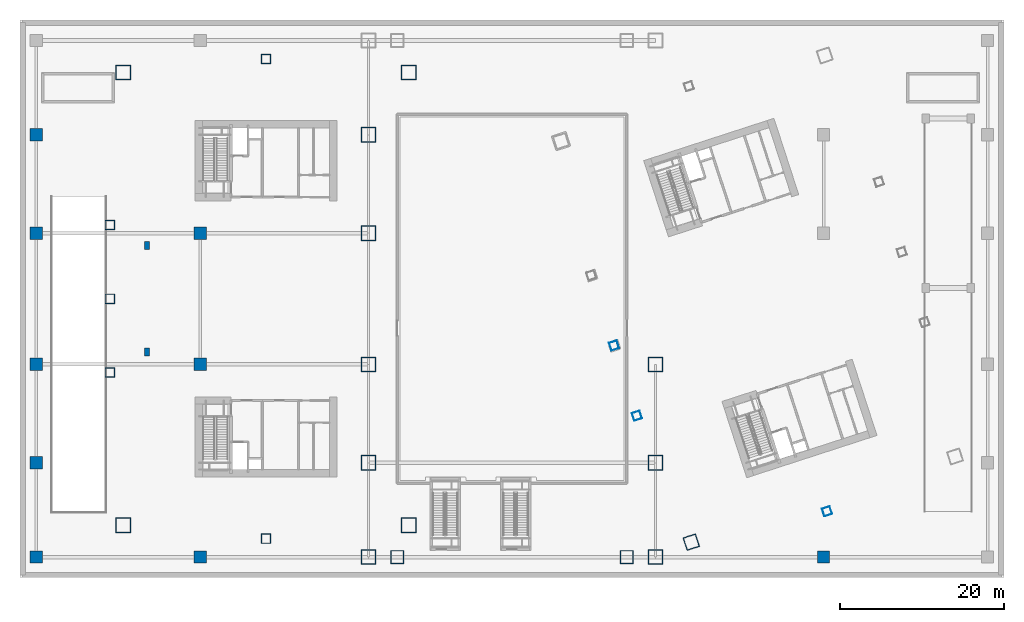
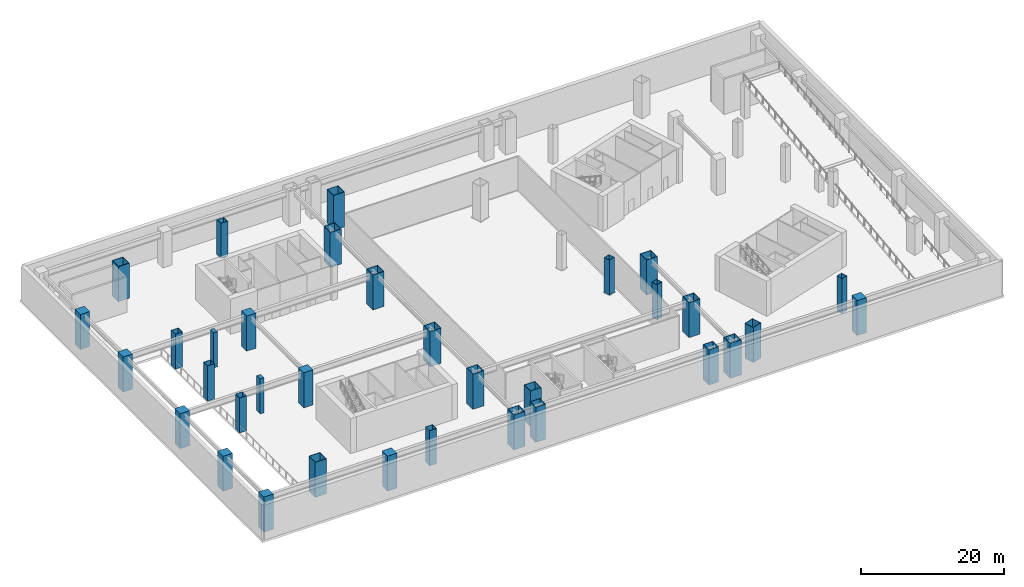
# One storey, part 1 of 20: 34 columns.
"""IFC4 building model written with IfcOpenShell, lengths in metres."""

import ifcopenshell
import ifcopenshell.guid

model = None  # the IFC model being written
_history = None  # IfcOwnerHistory: only IFC2X3 demands one
_inside = {}  # id of a spatial element -> (the spatial element, [elements in it])
_under = {}  # id of a project, library or spatial element -> (it, [spatial elements below it])
_declared = {}  # id of a project -> (the project, [libraries it declares])
_typed = {}  # id of a type object -> (the type object, [elements of that type])
_made_of = {}  # id of a material, layer set ... -> (it, [elements and type objects made of it])


def new_model(schema):
    """Start an empty IFC model of exactly this schema.

    Asked for "IFC4X3", IfcOpenShell would pick the latest addendum, in which some entities
    have other attributes; the version numbers below select the first issue.
    IFC2X3 requires an IfcOwnerHistory on every rooted entity: one is made here for all.
    """
    global model, _history
    if schema == "IFC4X3":
        model = ifcopenshell.file(schema_version=(4, 3, 0, 0))
    else:
        model = ifcopenshell.file(schema=schema)
    _inside.clear()
    _under.clear()
    _declared.clear()
    _typed.clear()
    _made_of.clear()
    _history = None
    if model.schema == "IFC2X3":
        org = make("IfcOrganization", Name="unknown")
        user = make(
            "IfcPersonAndOrganization",
            ThePerson=make("IfcPerson", FamilyName="unknown"),
            TheOrganization=org,
        )
        app = make(
            "IfcApplication",
            ApplicationDeveloper=org,
            Version="unknown",
            ApplicationFullName="unknown",
            ApplicationIdentifier="unknown",
        )
        _history = make(
            "IfcOwnerHistory",
            OwningUser=user,
            OwningApplication=app,
            ChangeAction="ADDED",
            CreationDate=0,
        )
    return model


def make(cls, **values):
    """One entity of the class cls with the attributes given. An attribute that is None is left unset."""
    return model.create_entity(
        cls, **{name: value for name, value in values.items() if value is not None}
    )


def rooted(cls, **values):
    """An entity with a GlobalId (a new one), such as an element, a storey or a relation."""
    return make(cls, GlobalId=ifcopenshell.guid.new(), OwnerHistory=_history, **values)


def si_unit(unit_type, name, prefix=None):
    """IfcSIUnit, for example si_unit("LENGTHUNIT", "METRE", prefix="MILLI")."""
    return make("IfcSIUnit", UnitType=unit_type, Prefix=prefix, Name=name)


def assignment(units):
    """IfcUnitAssignment: the units of a project."""
    return None if units is None else make("IfcUnitAssignment", Units=units)


def point(xyz):
    """IfcCartesianPoint."""
    return None if xyz is None else make("IfcCartesianPoint", Coordinates=xyz)


def direction(xyz):
    """IfcDirection."""
    return None if xyz is None else make("IfcDirection", DirectionRatios=xyz)


def frame(location, z_axis=None, x_axis=None):
    """IfcAxis2Placement3D, a coordinate frame: its origin and axes. An axis left out is left unset."""
    return make(
        "IfcAxis2Placement3D",
        Location=point(location),
        Axis=direction(z_axis),
        RefDirection=direction(x_axis),
    )


def frame_2d(location, x_axis=None):
    """IfcAxis2Placement2D, a coordinate frame in the plane: its origin and x axis."""
    return make(
        "IfcAxis2Placement2D", Location=point(location), RefDirection=direction(x_axis)
    )


def origin():
    """The frame at (0, 0, 0) with its axes left unset."""
    return frame((0.0, 0.0, 0.0))


def origin_2d():
    """The frame at (0, 0) in the plane with its x axis left unset."""
    return frame_2d((0.0, 0.0))


def place(relative_to, where):
    """IfcLocalPlacement: puts the frame where relative to a parent placement (None: the world)."""
    return make(
        "IfcLocalPlacement", PlacementRelTo=relative_to, RelativePlacement=where
    )


def context(
    kind, dimensions, precision=None, world=None, true_north=None, identifier=None
):
    """IfcGeometricRepresentationContext, for example the 3D "Model" context."""
    return make(
        "IfcGeometricRepresentationContext",
        ContextIdentifier=identifier,
        ContextType=kind,
        CoordinateSpaceDimension=dimensions,
        Precision=precision,
        WorldCoordinateSystem=world,
        TrueNorth=true_north,
    )


def subcontext(parent, identifier, kind, view, scale=None):
    """IfcGeometricRepresentationSubContext, for example "Body" below "Model"."""
    return make(
        "IfcGeometricRepresentationSubContext",
        ContextIdentifier=identifier,
        ContextType=kind,
        ParentContext=parent,
        TargetScale=scale,
        TargetView=view,
    )


def project(units=None, contexts=None):
    """IfcProject with its units and contexts."""
    return rooted(
        "IfcProject",
        Name="project",
        RepresentationContexts=contexts,
        UnitsInContext=assignment(units),
    )


def spatial(cls, under=None, at=None, **own):
    """A site, building, storey or space (cls), placed at a placement, below another one or the project."""
    s = rooted(cls, ObjectPlacement=at, **own)
    if under is not None:
        _under.setdefault(under.id(), (under, []))[1].append(s)
    return s


def profile(cls, at=None, kind="AREA", **sizes):
    """A parametric profile (cls). Its sizes go by their IFC names, for example OverallWidth=200.0."""
    return make(cls, ProfileType=kind, Position=at, **sizes)


def rectangle(**sizes):
    """IfcRectangleProfileDef."""
    return profile("IfcRectangleProfileDef", **sizes)


def hollow_rectangle(**sizes):
    """IfcRectangleHollowProfileDef."""
    return profile("IfcRectangleHollowProfileDef", **sizes)


def extrude(swept, where, along, depth):
    """IfcExtrudedAreaSolid: the profile swept, set in the frame where, extruded along a direction by depth."""
    return make(
        "IfcExtrudedAreaSolid",
        SweptArea=swept,
        Position=where,
        ExtrudedDirection=direction(along),
        Depth=depth,
    )


def shape(context_of_items, identifier, shape_type, items):
    """IfcShapeRepresentation: the items that make up one representation, for example the "Body"."""
    return make(
        "IfcShapeRepresentation",
        ContextOfItems=context_of_items,
        RepresentationIdentifier=identifier,
        RepresentationType=shape_type,
        Items=items,
    )


def material(Name=None, Category=None):
    """IfcMaterial."""
    return make("IfcMaterial", Name=Name, Category=Category)


def material_profile(
    of_material, cross_section, Name=None, Category=None, Priority=None
):
    """IfcMaterialProfile: a cross section and its material."""
    return make(
        "IfcMaterialProfile",
        Name=Name,
        Material=of_material,
        Profile=cross_section,
        Priority=Priority,
        Category=Category,
    )


def profile_set(profiles, Name=None, composite=None):
    """IfcMaterialProfileSet."""
    return make(
        "IfcMaterialProfileSet",
        Name=Name,
        MaterialProfiles=profiles,
        CompositeProfile=composite,
    )


def made_of(thing, what):
    """Note that an element or type object is made of a material, layer set ...; save() writes the relation."""
    if what is not None:
        _made_of.setdefault(what.id(), (what, []))[1].append(thing)
    return thing


def type_object(cls, material=None, **own):
    """A type object (cls), such as IfcWallType, which elements share."""
    return made_of(rooted(cls, **own), material)


def element(
    cls,
    number,
    at=None,
    inside=None,
    cuts=None,
    type_object=None,
    material=None,
    context=None,
    identifier="Body",
    shape_type=None,
    held_by="IfcProductDefinitionShape",
    body=None,
    shapes=None,
    **own,
):
    """One element of the class cls, such as IfcWall. Its Tag is "e" and its number.

    at: its placement. inside: the storey or other place that contains it. cuts: it is an
    opening in that element (IfcRelVoidsElement). A single representation is given by context,
    identifier, shape_type and body (its items); several are given by shapes. held_by: the class
    of the entity that holds the representations. save() writes the other relations.
    """
    e = rooted(cls, Tag="e%d" % number, ObjectPlacement=at, **own)
    if body is not None:
        shapes = [shape(context, identifier, shape_type, body)]
    if shapes is not None:
        e.Representation = make(held_by, Representations=shapes)
    if inside is not None:
        _inside.setdefault(inside.id(), (inside, []))[1].append(e)
    if cuts is not None:
        rooted(
            "IfcRelVoidsElement", RelatingBuildingElement=cuts, RelatedOpeningElement=e
        )
    if type_object is not None:
        _typed.setdefault(type_object.id(), (type_object, []))[1].append(e)
    return made_of(e, material)


def aggregate(whole, parts):
    """IfcRelAggregates: a whole, such as a stair, and the parts it consists of."""
    return rooted("IfcRelAggregates", RelatingObject=whole, RelatedObjects=parts)


def save(model, path):
    """Write the relations noted so far, then the file.

    IfcRelAggregates (storeys below a building ...), IfcRelContainedInSpatialStructure (elements
    in a storey), IfcRelDefinesByType, IfcRelAssociatesMaterial and IfcRelDeclares: one each for
    every whole, place, type object, material and project.
    """
    for whole, parts in _under.values():
        aggregate(whole, parts)
    for where, things in _inside.values():
        rooted(
            "IfcRelContainedInSpatialStructure",
            RelatedElements=things,
            RelatingStructure=where,
        )
    for kind, things in _typed.values():
        rooted("IfcRelDefinesByType", RelatedObjects=things, RelatingType=kind)
    for what, things in _made_of.values():
        rooted("IfcRelAssociatesMaterial", RelatedObjects=things, RelatingMaterial=what)
    for by, libraries in _declared.values():
        rooted("IfcRelDeclares", RelatingContext=by, RelatedDefinitions=libraries)
    model.write(path)


model = new_model("IFC4")

# Units and contexts
model_context = context("Model", 3, precision=1e-05, world=origin(), true_north=direction((0.0, 1.0)))
body_context = subcontext(model_context, "Body", "Model", "MODEL_VIEW")
ifc_project = project(units=[si_unit("LENGTHUNIT", "METRE"), si_unit("AREAUNIT", "SQUARE_METRE"), si_unit("VOLUMEUNIT", "CUBIC_METRE"), si_unit("PLANEANGLEUNIT", "RADIAN"), si_unit("MASSUNIT", "GRAM", prefix="KILO")], contexts=[model_context])

# Site, building, storey
site_placement = place(None, origin())
site = spatial("IfcSite", under=ifc_project, at=site_placement, CompositionType="ELEMENT")
building_placement = place(site_placement, origin())
building = spatial("IfcBuilding", under=site, at=building_placement, Name="Qiaolan Cultural Towers", CompositionType="ELEMENT")
storey_placement = place(building_placement, frame((0.0, 0.0, -6.0)))
storey = spatial("IfcBuildingStorey", under=building, at=storey_placement, Name="B1", CompositionType="ELEMENT", Elevation=-6.0)

# Columns
ifc_material_1 = material(Name="Steel Q355B", Category="steel")
ifc_material_profile_1 = material_profile(ifc_material_1, hollow_rectangle(XDim=1.0, YDim=1.0, WallThickness=0.035888671875, at=origin_2d()), Name="BOX1000x1000x36")
ifc_profile_set_1 = profile_set([ifc_material_profile_1], Name="Steel Q355B")
column_type_1 = type_object("IfcColumnType", Name="COL-BOX1000x1000x36", PredefinedType="COLUMN", material=ifc_profile_set_1)
for number, where, z_axis, x_axis, name in (
    (1, (75.234130859375, 19.739013671875, 0.0), (0.0, 0.0, 1.0), (0.951056516295, 0.309016994375, 0.0), "B1 T2 Column PC-W1"),
    (2, (72.453125, 28.298583984375, 0.0), (0.0, 0.0, 1.0), (0.951056516295, 0.309016994375, 0.0), "B1 T2 Column PC-W2"),
    (3, (98.420654296875, 8.083740234375, 0.0), (0.0, 0.0, 1.0), (0.951056516295, 0.309016994375, 0.0), "B1 T2 Column PC-S0"),
):
    element("IfcColumn", number, at=place(storey_placement, frame(where, z_axis=z_axis, x_axis=x_axis)), inside=storey, type_object=column_type_1, Name=name, PredefinedType="COLUMN", context=body_context, shape_type="SweptSolid", body=[
        extrude(hollow_rectangle(XDim=1.0, YDim=1.0, WallThickness=0.035888671875, at=origin_2d()), origin(), (0.0, 0.0, 1.0), 6.0009765625),
    ])
ifc_material_2 = material(Name="Steel Q390GJB", Category="steel")
ifc_material_profile_2 = material_profile(ifc_material_2, hollow_rectangle(XDim=1.14990234375, YDim=1.14990234375, WallThickness=0.0400390625, at=origin_2d()), Name="BOX1150x1150x40")
ifc_profile_set_2 = profile_set([ifc_material_profile_2], Name="Steel Q390GJB")
column_type_2 = type_object("IfcColumnType", Name="COL-BOX1150x1150x40", PredefinedType="COLUMN", material=ifc_profile_set_2)
for number, where, z_axis, x_axis, name in (
    (4, (10.949951171875, 25.0, 0.0), (0.0, 0.0, 1.0), (1.0, 0.0, 0.0), "B1 T1 Column PC-W1"),
    (5, (10.949951171875, 34.0, 0.0), (0.0, 0.0, 1.0), (1.0, 0.0, 0.0), "B1 T1 Column PC-W2"),
    (6, (10.949951171875, 43.0, 0.0), (0.0, 0.0, 1.0), (1.0, 0.0, 0.0), "B1 T1 Column PC-W3"),
    (7, (30.0, 4.75, 0.0), (0.0, 0.0, 1.0), (1.0, 0.0, 0.0), "B1 T1 Column PC-S0"),
    (8, (30.0, 63.25, 0.0), (0.0, 0.0, 1.0), (1.0, 0.0, 0.0), "B1 T1 Column PC-N0"),
):
    element("IfcColumn", number, at=place(storey_placement, frame(where, z_axis=z_axis, x_axis=x_axis)), inside=storey, type_object=column_type_2, Name=name, PredefinedType="COLUMN", context=body_context, shape_type="SweptSolid", body=[
        extrude(hollow_rectangle(XDim=1.14990234375, YDim=1.14990234375, WallThickness=0.0400390625, at=origin_2d()), origin(), (0.0, 0.0, 1.0), 6.0009765625),
    ])
ifc_material_3 = material(Name="Steel Q420GJB", Category="steel")
ifc_material_profile_3 = material_profile(ifc_material_3, hollow_rectangle(XDim=1.60009765625, YDim=1.60009765625, WallThickness=0.054931640625, at=origin_2d()), Name="BOX1600x1600x55")
ifc_profile_set_3 = profile_set([ifc_material_profile_3], Name="Steel Q420GJB")
column_type_3 = type_object("IfcColumnType", Name="COL-BOX1600x1600x55", PredefinedType="COLUMN", material=ifc_profile_set_3)
for number, where, z_axis, x_axis, name in (
    (9, (46.0, 2.5, 0.0), (0.0, 0.0, 1.0), (1.0, 0.0, 0.0), "B1 Podium Column PC-MID-46-2"),
    (10, (74.0, 2.5, 0.0), (0.0, 0.0, 1.0), (1.0, 0.0, 0.0), "B1 Podium Column PC-MID-74-2"),
    (11, (81.862548828125, 4.32275390625, 0.0), (0.0, 0.0, 1.0), (0.951056516295, 0.309016994375, 0.0), "B1 T2 Column MC-SW"),
):
    element("IfcColumn", number, at=place(storey_placement, frame(where, z_axis=z_axis, x_axis=x_axis)), inside=storey, type_object=column_type_3, Name=name, PredefinedType="COLUMN", context=body_context, shape_type="SweptSolid", body=[
        extrude(hollow_rectangle(XDim=1.60009765625, YDim=1.60009765625, WallThickness=0.054931640625, at=origin_2d()), origin(), (0.0, 0.0, 1.0), 6.0009765625),
    ])
ifc_material_4 = material(Name="Steel Q420GJB", Category="steel")
ifc_material_profile_4 = material_profile(ifc_material_4, hollow_rectangle(XDim=1.800048828125, YDim=1.800048828125, WallThickness=0.06005859375, at=origin_2d()), Name="BOX1800x1800x60")
ifc_profile_set_4 = profile_set([ifc_material_profile_4], Name="Steel Q420GJB")
column_type_4 = type_object("IfcColumnType", Name="COL-BOX1800x1800x60", PredefinedType="COLUMN", material=ifc_profile_set_4)
for number, where, z_axis, x_axis, name in (
    (12, (42.5, 2.5, 0.0), (0.0, 0.0, 1.0), (1.0, 0.0, 0.0), "B1 Podium Column PC-42-2"),
    (13, (42.5, 14.0, 0.0), (0.0, 0.0, 1.0), (1.0, 0.0, 0.0), "B1 Podium Column PC-42-14"),
    (14, (42.5, 26.0, 0.0), (0.0, 0.0, 1.0), (1.0, 0.0, 0.0), "B1 Podium Column PC-42-26"),
    (15, (42.5, 42.0, 0.0), (0.0, 0.0, 1.0), (1.0, 0.0, 0.0), "B1 Podium Column PC-42-42"),
    (16, (42.5, 54.0, 0.0), (0.0, 0.0, 1.0), (1.0, 0.0, 0.0), "B1 Podium Column PC-42-54"),
    (17, (77.5, 2.5, 0.0), (0.0, 0.0, 1.0), (1.0, 0.0, 0.0), "B1 Podium Column PC-77-2"),
    (18, (77.5, 14.0, 0.0), (0.0, 0.0, 1.0), (1.0, 0.0, 0.0), "B1 Podium Column PC-77-14"),
    (19, (77.5, 26.0, 0.0), (0.0, 0.0, 1.0), (1.0, 0.0, 0.0), "B1 Podium Column PC-77-26"),
    (20, (12.60009765625, 6.39990234375, 0.0), (0.0, 0.0, 1.0), (1.0, 0.0, 0.0), "B1 T1 Column MC-SW"),
    (21, (47.39990234375, 6.39990234375, 0.0), (0.0, 0.0, 1.0), (1.0, 0.0, 0.0), "B1 T1 Column MC-SE"),
    (22, (47.39990234375, 61.60009765625, 0.0), (0.0, 0.0, 1.0), (1.0, 0.0, 0.0), "B1 T1 Column MC-NE"),
    (23, (12.60009765625, 61.60009765625, 0.0), (0.0, 0.0, 1.0), (1.0, 0.0, 0.0), "B1 T1 Column MC-NW"),
):
    element("IfcColumn", number, at=place(storey_placement, frame(where, z_axis=z_axis, x_axis=x_axis)), inside=storey, type_object=column_type_4, Name=name, PredefinedType="COLUMN", context=body_context, shape_type="SweptSolid", body=[
        extrude(hollow_rectangle(XDim=1.800048828125, YDim=1.800048828125, WallThickness=0.06005859375, at=origin_2d()), origin(), (0.0, 0.0, 1.0), 6.0009765625),
    ])
ifc_material_5 = material(Name="Concrete C60", Category="concrete")
ifc_material_profile_5 = material_profile(ifc_material_5, rectangle(XDim=1.5, YDim=1.5, at=origin_2d()), Name="RC1500x1500")
ifc_profile_set_5 = profile_set([ifc_material_profile_5], Name="Concrete C60")
column_type_5 = type_object("IfcColumnType", Name="COL-RC1500x1500", PredefinedType="COLUMN", material=ifc_profile_set_5)
for number, where, z_axis, x_axis, name in (
    (24, (2.0, 2.5, 0.0), (0.0, 0.0, 1.0), (1.0, 0.0, 0.0), "B1 Podium Column PC-2-2"),
    (25, (2.0, 14.0, 0.0), (0.0, 0.0, 1.0), (1.0, 0.0, 0.0), "B1 Podium Column PC-2-14"),
    (26, (2.0, 26.0, 0.0), (0.0, 0.0, 1.0), (1.0, 0.0, 0.0), "B1 Podium Column PC-2-26"),
    (27, (2.0, 42.0, 0.0), (0.0, 0.0, 1.0), (1.0, 0.0, 0.0), "B1 Podium Column PC-2-42"),
    (28, (2.0, 54.0, 0.0), (0.0, 0.0, 1.0), (1.0, 0.0, 0.0), "B1 Podium Column PC-2-54"),
    (29, (22.0, 2.5, 0.0), (0.0, 0.0, 1.0), (1.0, 0.0, 0.0), "B1 Podium Column PC-22-2"),
    (30, (22.0, 26.0, 0.0), (0.0, 0.0, 1.0), (1.0, 0.0, 0.0), "B1 Podium Column PC-22-26"),
    (31, (22.0, 42.0, 0.0), (0.0, 0.0, 1.0), (1.0, 0.0, 0.0), "B1 Podium Column PC-22-42"),
    (32, (98.0, 2.5, 0.0), (0.0, 0.0, 1.0), (1.0, 0.0, 0.0), "B1 Podium Column PC-98-2"),
):
    element("IfcColumn", number, at=place(storey_placement, frame(where, z_axis=z_axis, x_axis=x_axis)), inside=storey, type_object=column_type_5, Name=name, PredefinedType="COLUMN", context=body_context, shape_type="SweptSolid", body=[
        extrude(rectangle(XDim=1.5, YDim=1.5, at=origin_2d()), origin(), (0.0, 0.0, 1.0), 6.0009765625),
    ])
ifc_material_6 = material(Name="Concrete C50", Category="concrete")
ifc_material_profile_6 = material_profile(ifc_material_6, rectangle(XDim=0.60009765625, YDim=0.949951171875, at=origin_2d()), Name="RC600x950")
ifc_profile_set_6 = profile_set([ifc_material_profile_6], Name="Concrete C50")
column_type_6 = type_object("IfcColumnType", Name="COL-RC600x950", PredefinedType="PILASTER", material=ifc_profile_set_6)
for number, where, z_axis, x_axis, name in (
    (33, (15.5, 27.5, 0.0), (0.0, 0.0, 1.0), (1.0, 0.0, 0.0), "B1 Museum Gallery Structural Pilaster 1"),
    (34, (15.5, 40.5, 0.0), (0.0, 0.0, 1.0), (1.0, 0.0, 0.0), "B1 Museum Gallery Structural Pilaster 2"),
):
    element("IfcColumn", number, at=place(storey_placement, frame(where, z_axis=z_axis, x_axis=x_axis)), inside=storey, type_object=column_type_6, Name=name, PredefinedType="PILASTER", context=body_context, shape_type="SweptSolid", body=[
        extrude(rectangle(XDim=0.60009765625, YDim=0.949951171875, at=origin_2d()), origin(), (0.0, 0.0, 1.0), 6.0009765625),
    ])

save(model, "model.ifc")
